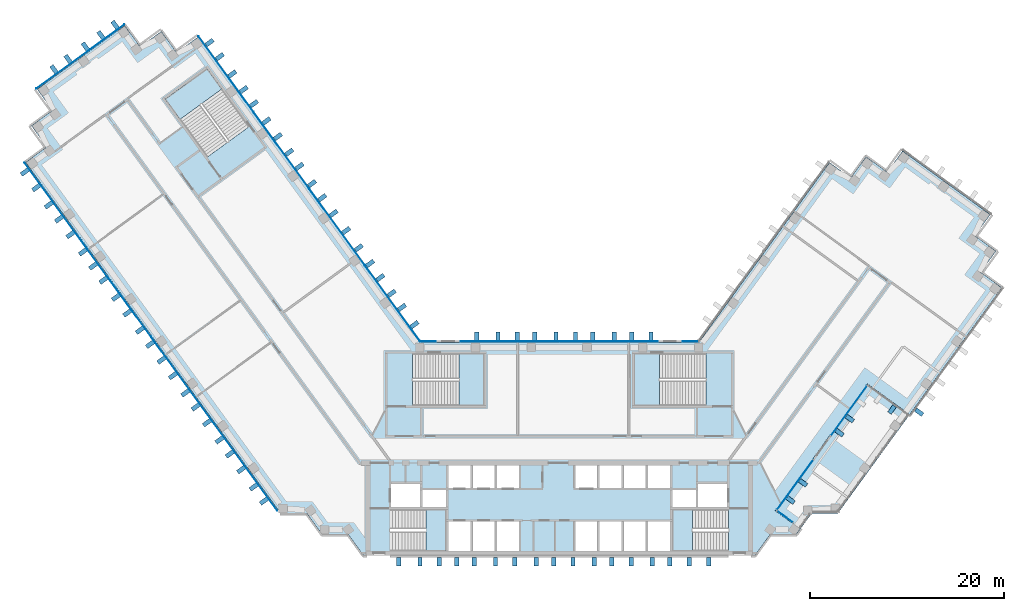
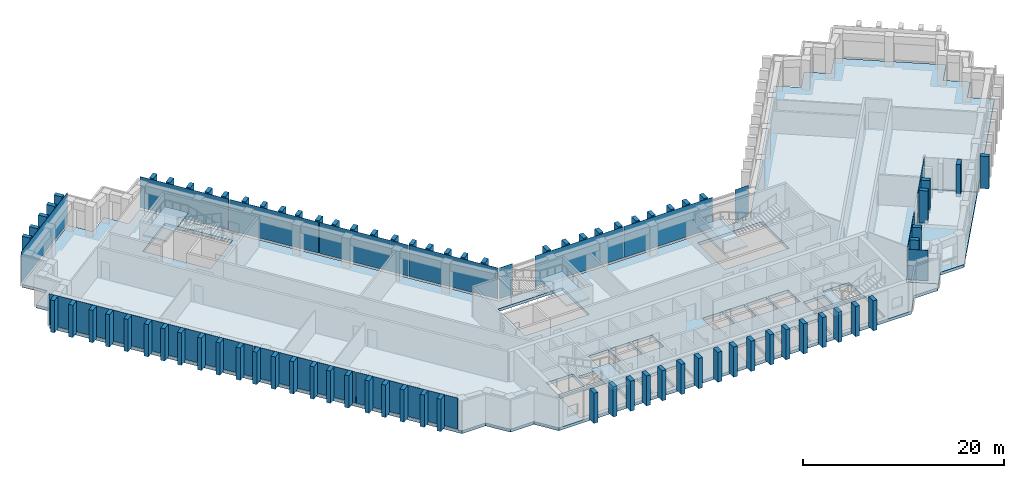
"""IFC4 building model written with IfcOpenShell, lengths in metres."""

from ifc_helpers import new_model, si_unit, direction, frame, origin, origin_2d, place, context, subcontext, project, spatial, polyline, rectangle, outline, extrude, material, layer, layer_set, type_object, element, aggregate, save


model = new_model("IFC4")

# Units and contexts
model_context = context("Model", 3, precision=1e-05, world=origin(), true_north=direction((0.0, 1.0)))
body_context = subcontext(model_context, "Body", "Model", "MODEL_VIEW")
ifc_project = project(units=[si_unit("LENGTHUNIT", "METRE"), si_unit("AREAUNIT", "SQUARE_METRE"), si_unit("VOLUMEUNIT", "CUBIC_METRE"), si_unit("PLANEANGLEUNIT", "RADIAN"), si_unit("MASSUNIT", "GRAM", prefix="KILO")], contexts=[model_context])

# Site, building, storey
site_placement = place(None, origin())
site = spatial("IfcSite", under=ifc_project, at=site_placement, CompositionType="ELEMENT")
building_placement = place(site_placement, origin())
building = spatial("IfcBuilding", under=site, at=building_placement, Name="Quipu Civic Tower", CompositionType="ELEMENT")
storey_1_placement = place(building_placement, frame((0.0, 0.0, 105.0)))
storey_1 = spatial("IfcBuildingStorey", under=building, at=storey_1_placement, Name="L24", CompositionType="ELEMENT", Elevation=105.0)

# Slab
ifc_material_1 = material(Name="Concrete C40/50", Category="concrete")
ifc_layer_1 = layer(ifc_material_1, 0.35009765625)
ifc_layer_set_1 = layer_set([ifc_layer_1], Name="Concrete C40/50")
slab_type_1 = type_object("IfcSlabType", Name="Floor slab 350 C40/50", PredefinedType="FLOOR", material=ifc_layer_set_1)
slab_1_placement = place(storey_1_placement, frame((0.0, 0.0, -0.35009765625)))
element("IfcSlab", 1, at=slab_1_placement, inside=storey_1, type_object=slab_type_1, Name="Floor slab L24", PredefinedType="FLOOR", context=body_context, shape_type="SweptSolid", body=[
    extrude(outline(polyline([(20.205078125, -11.0), (-20.205078125, -11.0), (-21.7900390625, -8.81494140625), (-24.489990234375, -8.81494140625), (-26.080078125, -6.6298828125), (-28.780029296875, -6.6298828125), (-55.114990234375, 29.614990234375), (-52.929931640625, 31.205078125), (-54.514892578125, 33.389892578125), (-52.3349609375, 34.97509765625), (-53.919921875, 37.159912109375), (-44.860107421875, 43.739990234375), (-43.27001953125, 41.56005859375), (-41.0849609375, 43.14501953125), (-39.5, 40.9599609375), (-37.31494140625, 42.550048828125), (-14.39501953125, 11.0), (14.39501953125, 11.0), (27.909912109375, 29.60498046875), (30.094970703125, 28.014892578125), (31.68505859375, 30.199951171875), (33.864990234375, 28.614990234375), (35.455078125, 30.800048828125), (44.514892578125, 24.215087890625), (42.929931640625, 22.030029296875), (45.114990234375, 20.445068359375), (43.52490234375, 18.260009765625), (45.7099609375, 16.669921875), (36.18994140625, 3.56494140625), (31.820068359375, 6.739990234375), (22.294921875, -6.364990234375), (24.89990234375, -8.2548828125), (24.489990234375, -8.81494140625), (21.7900390625, -8.81494140625), (20.205078125, -11.0)]), holes=[polyline([(-11.449951171875, -7.5), (-11.449951171875, -10.5), (-9.14990234375, -10.5), (-9.14990234375, -7.5), (-11.449951171875, -7.5)]), polyline([(-8.949951171875, -7.5), (-8.949951171875, -10.5), (-6.64990234375, -10.5), (-6.64990234375, -7.5), (-8.949951171875, -7.5)]), polyline([(-6.449951171875, -7.5), (-6.449951171875, -10.5), (-4.14990234375, -10.5), (-4.14990234375, -7.5), (-6.449951171875, -7.5)]), polyline([(-11.705078125, -10.4951171875), (-11.705078125, -6.2548828125), (-17.4951171875, -6.2548828125), (-17.4951171875, -10.4951171875), (-11.705078125, -10.4951171875)]), polyline([(-11.699951171875, -4.25), (-14.10009765625, -4.25), (-14.10009765625, -6.0), (-11.699951171875, -6.0), (-11.699951171875, -4.25)]), polyline([(-17.35009765625, -3.60009765625), (-17.35009765625, -6.0), (-14.35009765625, -6.0), (-14.35009765625, -3.60009765625), (-17.35009765625, -3.60009765625)]), polyline([(-9.14990234375, -1.699951171875), (-11.449951171875, -1.699951171875), (-11.449951171875, -4.0), (-9.14990234375, -4.0), (-9.14990234375, -1.699951171875)]), polyline([(-6.64990234375, -1.699951171875), (-8.949951171875, -1.699951171875), (-8.949951171875, -4.0), (-6.64990234375, -4.0), (-6.64990234375, -1.699951171875)]), polyline([(-6.449951171875, -1.699951171875), (-6.449951171875, -4.0), (-4.14990234375, -4.0), (-4.14990234375, -1.699951171875), (-6.449951171875, -1.699951171875)]), polyline([(3.949951171875, -1.699951171875), (1.64990234375, -1.699951171875), (1.64990234375, -4.0), (3.949951171875, -4.0), (3.949951171875, -1.699951171875)]), polyline([(-7.7548828125, 4.5048828125), (-7.7548828125, 9.844970703125), (-15.14501953125, 9.844970703125), (-15.14501953125, 4.5048828125), (-7.7548828125, 4.5048828125)]), polyline([(-40.68505859375, 36.135009765625), (-36.344970703125, 30.159912109375), (-32.02490234375, 33.300048828125), (-36.364990234375, 39.27490234375), (-40.68505859375, 36.135009765625)]), polyline([(3.949951171875, -7.5), (1.64990234375, -7.5), (1.64990234375, -10.5), (3.949951171875, -10.5), (3.949951171875, -7.5)]), polyline([(6.449951171875, -7.5), (4.14990234375, -7.5), (4.14990234375, -10.5), (6.449951171875, -10.5), (6.449951171875, -7.5)]), polyline([(6.64990234375, -7.5), (6.64990234375, -10.5), (8.949951171875, -10.5), (8.949951171875, -7.5), (6.64990234375, -7.5)]), polyline([(11.449951171875, -7.5), (9.14990234375, -7.5), (9.14990234375, -10.5), (11.449951171875, -10.5), (11.449951171875, -7.5)]), polyline([(11.705078125, -6.2548828125), (11.705078125, -10.4951171875), (17.4951171875, -10.4951171875), (17.4951171875, -6.2548828125), (11.705078125, -6.2548828125)]), polyline([(11.699951171875, -4.25), (11.699951171875, -6.0), (14.10009765625, -6.0), (14.10009765625, -4.25), (11.699951171875, -4.25)]), polyline([(17.35009765625, -3.60009765625), (14.35009765625, -3.60009765625), (14.35009765625, -6.0), (17.35009765625, -6.0), (17.35009765625, -3.60009765625)]), polyline([(6.449951171875, -1.699951171875), (4.14990234375, -1.699951171875), (4.14990234375, -4.0), (6.449951171875, -4.0), (6.449951171875, -1.699951171875)]), polyline([(6.64990234375, -1.699951171875), (6.64990234375, -4.0), (8.949951171875, -4.0), (8.949951171875, -1.699951171875), (6.64990234375, -1.699951171875)]), polyline([(11.449951171875, -1.699951171875), (9.14990234375, -1.699951171875), (9.14990234375, -4.0), (11.449951171875, -4.0), (11.449951171875, -1.699951171875)]), polyline([(7.7548828125, 9.844970703125), (7.7548828125, 4.5048828125), (15.14501953125, 4.5048828125), (15.14501953125, 9.844970703125), (7.7548828125, 9.844970703125)])]), origin(), (0.0, 0.0, 1.0), 0.35009765625),
])

# Storey
storey_2_placement = place(building_placement, frame((0.0, 0.0, 101.0)))
storey_2 = spatial("IfcBuildingStorey", under=building, at=storey_2_placement, Name="L23", CompositionType="ELEMENT", Elevation=101.0)

# Curtain wall, plates
ifc_material_2 = material(Name="Insulated glass unit", Category="glass")
curtain_wall_type = type_object("IfcCurtainWallType", Name="Office curtain wall CW1", PredefinedType="NOTDEFINED", material=ifc_material_2)
curtain_wall_1_placement = place(storey_2_placement, origin())
curtain_wall_1 = element("IfcCurtainWall", 2, at=curtain_wall_1_placement, inside=storey_2, type_object=curtain_wall_type, Name="Office curtain wall CW1 L22 run 10", PredefinedType="NOTDEFINED")
ifc_material_3 = material(Name="Insulated glass unit", Category="glass")
ifc_layer_2 = layer(ifc_material_3, 0.028076171875)
ifc_layer_set_2 = layer_set([ifc_layer_2], Name="Insulated glass unit")
plate_type_1 = type_object("IfcPlateType", Name="Glass panel CW1", PredefinedType="CURTAIN_PANEL", material=ifc_layer_set_2)
plate_1_placement = place(storey_1_placement, frame((-17.224609375, 15.064697265625, 0.16015625), z_axis=(0.0, 0.0, 1.0), x_axis=(-0.587785887566, 0.809016532822, 0.0)))
plate_1 = element("IfcPlate", 3, at=plate_1_placement, inside=storey_1, type_object=plate_type_1, Name="CW1 panel 1.3", PredefinedType="CURTAIN_PANEL", context=body_context, shape_type="SweptSolid", body=[
    extrude(rectangle(XDim=9.64111328125, YDim=0.028076171875, at=origin_2d()), origin(), (0.0, 0.0, 1.0), 3.760009765625),
])
plate_2_placement = place(storey_1_placement, frame((-22.950439453125, 22.9453125, 0.16015625), z_axis=(0.0, 0.0, 1.0), x_axis=(-0.587785887566, 0.809016532822, 0.0)))
plate_2 = element("IfcPlate", 4, at=plate_2_placement, inside=storey_1, type_object=plate_type_1, Name="CW1 panel 2.3", PredefinedType="CURTAIN_PANEL", context=body_context, shape_type="SweptSolid", body=[
    extrude(rectangle(XDim=9.68115234375, YDim=0.028076171875, at=origin_2d()), origin(), (0.0, 0.0, 1.0), 3.760009765625),
])
plate_3_placement = place(storey_1_placement, frame((-28.687744140625, 30.84228515625, 0.16015625), z_axis=(0.0, 0.0, 1.0), x_axis=(-0.587785887566, 0.809016532822, 0.0)))
plate_3 = element("IfcPlate", 5, at=plate_3_placement, inside=storey_1, type_object=plate_type_1, Name="CW1 panel 3.3", PredefinedType="CURTAIN_PANEL", context=body_context, shape_type="SweptSolid", body=[
    extrude(rectangle(XDim=9.68115234375, YDim=0.028076171875, at=origin_2d()), origin(), (0.0, 0.0, 1.0), 3.760009765625),
])
plate_4_placement = place(storey_1_placement, frame((-34.413330078125, 38.722900390625, 0.16015625), z_axis=(0.0, 0.0, 1.0), x_axis=(-0.587785887566, 0.809016532822, 0.0)))
plate_4 = element("IfcPlate", 6, at=plate_4_placement, inside=storey_1, type_object=plate_type_1, Name="CW1 panel 4.3", PredefinedType="CURTAIN_PANEL", context=body_context, shape_type="SweptSolid", body=[
    extrude(rectangle(XDim=9.64111328125, YDim=0.028076171875, at=origin_2d()), origin(), (0.0, 0.0, 1.0), 3.760009765625),
])
aggregate(curtain_wall_1, [plate_1, plate_2, plate_3, plate_4])

# Curtain wall, plate
curtain_wall_2_placement = place(storey_2_placement, origin())
curtain_wall_2 = element("IfcCurtainWall", 7, at=curtain_wall_2_placement, inside=storey_2, type_object=curtain_wall_type, Name="Office curtain wall CW1 L22 run 15", PredefinedType="NOTDEFINED")
plate_5_placement = place(storey_1_placement, frame((-49.447998046875, 40.53173828125, 0.16015625), z_axis=(0.0, 0.0, 1.0), x_axis=(-0.809019348124, -0.587782012621, 0.0)))
plate_5 = element("IfcPlate", 8, at=plate_5_placement, inside=storey_1, type_object=plate_type_1, Name="CW1 panel 1.3", PredefinedType="CURTAIN_PANEL", context=body_context, shape_type="SweptSolid", body=[
    extrude(rectangle(XDim=11.239990234375, YDim=0.028076171875, at=origin_2d()), origin(), (0.0, 0.0, 1.0), 3.760009765625),
])
aggregate(curtain_wall_2, [plate_5])

# Curtain wall, plates
curtain_wall_3_placement = place(storey_2_placement, origin())
curtain_wall_3 = element("IfcCurtainWall", 9, at=curtain_wall_3_placement, inside=storey_2, type_object=curtain_wall_type, Name="Office curtain wall CW1 L22 run 20", PredefinedType="NOTDEFINED")
plate_6_placement = place(storey_1_placement, frame((-51.967529296875, 25.114990234375, 0.16015625), z_axis=(0.0, 0.0, 1.0), x_axis=(0.587785559869, -0.809016770908, 0.0)))
plate_6 = element("IfcPlate", 10, at=plate_6_placement, inside=storey_1, type_object=plate_type_1, Name="CW1 panel 1.3", PredefinedType="CURTAIN_PANEL", context=body_context, shape_type="SweptSolid", body=[
    extrude(rectangle(XDim=11.022705078125, YDim=0.028076171875, at=origin_2d()), origin(), (0.0, 0.0, 1.0), 3.760009765625),
])
plate_7_placement = place(storey_1_placement, frame((-45.4296875, 16.11669921875, 0.16015625), z_axis=(0.0, 0.0, 1.0), x_axis=(0.587785559869, -0.809016770908, 0.0)))
plate_7 = element("IfcPlate", 11, at=plate_7_placement, inside=storey_1, type_object=plate_type_1, Name="CW1 panel 2.3", PredefinedType="CURTAIN_PANEL", context=body_context, shape_type="SweptSolid", body=[
    extrude(rectangle(XDim=11.062744140625, YDim=0.028076171875, at=origin_2d()), origin(), (0.0, 0.0, 1.0), 3.760009765625),
])
plate_8_placement = place(storey_1_placement, frame((-38.880126953125, 7.101806640625, 0.16015625), z_axis=(0.0, 0.0, 1.0), x_axis=(0.587785559869, -0.809016770908, 0.0)))
plate_8 = element("IfcPlate", 12, at=plate_8_placement, inside=storey_1, type_object=plate_type_1, Name="CW1 panel 3.3", PredefinedType="CURTAIN_PANEL", context=body_context, shape_type="SweptSolid", body=[
    extrude(rectangle(XDim=11.062744140625, YDim=0.028076171875, at=origin_2d()), origin(), (0.0, 0.0, 1.0), 3.760009765625),
])
plate_9_placement = place(storey_1_placement, frame((-32.342529296875, -1.896484375, 0.16015625), z_axis=(0.0, 0.0, 1.0), x_axis=(0.587785559869, -0.809016770908, 0.0)))
plate_9 = element("IfcPlate", 13, at=plate_9_placement, inside=storey_1, type_object=plate_type_1, Name="CW1 panel 4.3", PredefinedType="CURTAIN_PANEL", context=body_context, shape_type="SweptSolid", body=[
    extrude(rectangle(XDim=11.022705078125, YDim=0.028076171875, at=origin_2d()), origin(), (0.0, 0.0, 1.0), 3.760009765625),
])
aggregate(curtain_wall_3, [plate_6, plate_7, plate_8, plate_9])

# Curtain wall, plate
curtain_wall_4_placement = place(storey_2_placement, origin())
curtain_wall_4 = element("IfcCurtainWall", 14, at=curtain_wall_4_placement, inside=storey_2, type_object=curtain_wall_type, Name="Office curtain wall CW1 L22 run 37", PredefinedType="NOTDEFINED")
plate_10_placement = place(storey_1_placement, frame((13.49951171875, 11.10009765625, 0.16015625), z_axis=(0.0, 0.0, 1.0), x_axis=(-1.0, 0.0, 0.0)))
plate_10 = element("IfcPlate", 15, at=plate_10_placement, inside=storey_1, type_object=plate_type_1, Name="CW1 panel 1.3", PredefinedType="CURTAIN_PANEL", context=body_context, shape_type="SweptSolid", body=[
    extrude(rectangle(XDim=1.529296875, YDim=0.028076171875, at=origin_2d()), origin(), (0.0, 0.0, 1.0), 3.760009765625),
])
aggregate(curtain_wall_4, [plate_10])

# Curtain wall, plates
curtain_wall_5_placement = place(storey_2_placement, origin())
curtain_wall_5 = element("IfcCurtainWall", 16, at=curtain_wall_5_placement, inside=storey_2, type_object=curtain_wall_type, Name="Office curtain wall CW1 L22 run 39", PredefinedType="NOTDEFINED")
plate_11_placement = place(storey_1_placement, frame((5.11181640625, 11.10009765625, 0.16015625), z_axis=(0.0, 0.0, 1.0), x_axis=(-1.0, 0.0, 0.0)))
plate_11 = element("IfcPlate", 17, at=plate_11_placement, inside=storey_1, type_object=plate_type_1, Name="CW1 panel 1.3", PredefinedType="CURTAIN_PANEL", context=body_context, shape_type="SweptSolid", body=[
    extrude(rectangle(XDim=10.1435546875, YDim=0.028076171875, at=origin_2d()), origin(), (0.0, 0.0, 1.0), 3.760009765625),
])
plate_12_placement = place(storey_1_placement, frame((-5.11181640625, 11.10009765625, 0.16015625), z_axis=(0.0, 0.0, 1.0), x_axis=(-1.0, 0.0, 0.0)))
plate_12 = element("IfcPlate", 18, at=plate_12_placement, inside=storey_1, type_object=plate_type_1, Name="CW1 panel 2.3", PredefinedType="CURTAIN_PANEL", context=body_context, shape_type="SweptSolid", body=[
    extrude(rectangle(XDim=10.1435546875, YDim=0.028076171875, at=origin_2d()), origin(), (0.0, 0.0, 1.0), 3.760009765625),
])
aggregate(curtain_wall_5, [plate_11, plate_12])

# Curtain wall, plate
curtain_wall_6_placement = place(storey_2_placement, origin())
curtain_wall_6 = element("IfcCurtainWall", 19, at=curtain_wall_6_placement, inside=storey_2, type_object=curtain_wall_type, Name="Office curtain wall CW1 L22 run 41", PredefinedType="NOTDEFINED")
plate_13_placement = place(storey_1_placement, frame((-13.49951171875, 11.10009765625, 0.16015625), z_axis=(0.0, 0.0, 1.0), x_axis=(-1.0, 0.0, 0.0)))
plate_13 = element("IfcPlate", 20, at=plate_13_placement, inside=storey_1, type_object=plate_type_1, Name="CW1 panel 1.3", PredefinedType="CURTAIN_PANEL", context=body_context, shape_type="SweptSolid", body=[
    extrude(rectangle(XDim=1.529296875, YDim=0.028076171875, at=origin_2d()), origin(), (0.0, 0.0, 1.0), 3.760009765625),
])
aggregate(curtain_wall_6, [plate_13])

curtain_wall_7_placement = place(storey_1_placement, origin())
curtain_wall_7 = element("IfcCurtainWall", 21, at=curtain_wall_7_placement, inside=storey_1, type_object=curtain_wall_type, Name="Office curtain wall CW1 L24 run 2", PredefinedType="NOTDEFINED")
plate_14_placement = place(storey_1_placement, frame((23.311767578125, -6.979736328125, 0.240234375), z_axis=(0.0, 0.0, 1.0), x_axis=(-0.809025794765, 0.587773139404, 0.0)))
plate_14 = element("IfcPlate", 22, at=plate_14_placement, type_object=plate_type_1, Name="CW1 panel 1.1", PredefinedType="CURTAIN_PANEL", context=body_context, shape_type="SweptSolid", body=[
    extrude(rectangle(XDim=2.003662109375, YDim=0.028076171875, at=origin_2d()), origin(), (0.0, 0.0, 1.0), 3.679931640625),
])
aggregate(curtain_wall_7, [plate_14])

curtain_wall_8_placement = place(storey_1_placement, origin())
curtain_wall_8 = element("IfcCurtainWall", 23, at=curtain_wall_8_placement, inside=storey_1, type_object=curtain_wall_type, Name="Office curtain wall CW1 L24 run 3", PredefinedType="NOTDEFINED")
plate_15_placement = place(storey_1_placement, frame((24.352294921875, -3.70703125, 0.240234375), z_axis=(0.0, 0.0, 1.0), x_axis=(0.587783041125, 0.809018600878, 0.0)))
plate_15 = element("IfcPlate", 24, at=plate_15_placement, type_object=plate_type_1, Name="CW1 panel 1.1", PredefinedType="CURTAIN_PANEL", context=body_context, shape_type="SweptSolid", body=[
    extrude(rectangle(XDim=6.3583984375, YDim=0.028076171875, at=origin_2d()), origin(), (0.0, 0.0, 1.0), 3.679931640625),
])
aggregate(curtain_wall_8, [plate_15])

curtain_wall_9_placement = place(storey_1_placement, origin())
curtain_wall_9 = element("IfcCurtainWall", 25, at=curtain_wall_9_placement, inside=storey_1, type_object=curtain_wall_type, Name="Office curtain wall CW1 L24 run 5", PredefinedType="NOTDEFINED")
plate_16_placement = place(storey_1_placement, frame((29.92529296875, 3.963623046875, 0.240234375), z_axis=(0.0, 0.0, 1.0), x_axis=(0.587778491936, 0.809021906018, 0.0)))
plate_16 = element("IfcPlate", 26, at=plate_16_placement, type_object=plate_type_1, Name="CW1 panel 1.1", PredefinedType="CURTAIN_PANEL", context=body_context, shape_type="SweptSolid", body=[
    extrude(rectangle(XDim=6.358642578125, YDim=0.028076171875, at=origin_2d()), origin(), (0.0, 0.0, 1.0), 3.679931640625),
])
aggregate(curtain_wall_9, [plate_16])

# Plates
ifc_material_4 = material(Name="Precast concrete C40/50", Category="concrete")
plate_type_2 = type_object("IfcPlateType", Name="Precast fin F1", PredefinedType="SHEET", material=ifc_material_4)
for number, where, z_axis, x_axis, name in (
    (27, (-14.942138671875, 12.8583984375, 0.080078125), (0.0, 0.0, 1.0), (-0.587784944053, 0.809017218324, 0.0), "Precast fin F1 L24.P01.1"),
    (28, (-16.235107421875, 14.638427734375, 0.080078125), (0.0, 0.0, 1.0), (-0.587784944053, 0.809017218324, 0.0), "Precast fin F1 L24.P01.2"),
    (29, (-17.293212890625, 16.094482421875, 0.080078125), (0.0, 0.0, 1.0), (-0.587784944053, 0.809017218324, 0.0), "Precast fin F1 L24.P01.3"),
    (30, (-18.46875, 17.712646484375, 0.080078125), (0.0, 0.0, 1.0), (-0.587784944053, 0.809017218324, 0.0), "Precast fin F1 L24.P01.4"),
    (31, (-19.52685546875, 19.1689453125, 0.080078125), (0.0, 0.0, 1.0), (-0.587784944053, 0.809017218324, 0.0), "Precast fin F1 L24.P01.5"),
    (32, (-20.702392578125, 20.786865234375, 0.080078125), (0.0, 0.0, 1.0), (-0.587784944053, 0.809017218324, 0.0), "Precast fin F1 L24.P01.6"),
    (33, (-21.995361328125, 22.566650390625, 0.080078125), (0.0, 0.0, 1.0), (-0.587784944053, 0.809017218324, 0.0), "Precast fin F1 L24.P01.7"),
    (34, (-23.28857421875, 24.3466796875, 0.080078125), (0.0, 0.0, 1.0), (-0.587784944053, 0.809017218324, 0.0), "Precast fin F1 L24.P01.8"),
    (35, (-24.464111328125, 25.964599609375, 0.080078125), (0.0, 0.0, 1.0), (-0.587784944053, 0.809017218324, 0.0), "Precast fin F1 L24.P01.9"),
    (36, (-25.522216796875, 27.4208984375, 0.080078125), (0.0, 0.0, 1.0), (-0.587784944053, 0.809017218324, 0.0), "Precast fin F1 L24.P01.10"),
    (37, (-26.815185546875, 29.20068359375, 0.080078125), (0.0, 0.0, 1.0), (-0.587784944053, 0.809017218324, 0.0), "Precast fin F1 L24.P01.11"),
    (38, (-27.873291015625, 30.656982421875, 0.080078125), (0.0, 0.0, 1.0), (-0.587784944053, 0.809017218324, 0.0), "Precast fin F1 L24.P01.12"),
    (39, (-29.048828125, 32.27490234375, 0.080078125), (0.0, 0.0, 1.0), (-0.587784944053, 0.809017218324, 0.0), "Precast fin F1 L24.P01.13"),
    (40, (-30.224365234375, 33.89306640625, 0.080078125), (0.0, 0.0, 1.0), (-0.587784944053, 0.809017218324, 0.0), "Precast fin F1 L24.P01.14"),
    (41, (-31.517578125, 35.6728515625, 0.080078125), (0.0, 0.0, 1.0), (-0.587784944053, 0.809017218324, 0.0), "Precast fin F1 L24.P01.15"),
    (42, (-32.57568359375, 37.129150390625, 0.080078125), (0.0, 0.0, 1.0), (-0.587784944053, 0.809017218324, 0.0), "Precast fin F1 L24.P01.16"),
    (43, (-33.751220703125, 38.7470703125, 0.080078125), (0.0, 0.0, 1.0), (-0.587784944053, 0.809017218324, 0.0), "Precast fin F1 L24.P01.17"),
    (44, (-35.044189453125, 40.52685546875, 0.080078125), (0.0, 0.0, 1.0), (-0.587784944053, 0.809017218324, 0.0), "Precast fin F1 L24.P01.18"),
    (45, (-36.102294921875, 41.983154296875, 0.080078125), (0.0, 0.0, 1.0), (-0.587784944053, 0.809017218324, 0.0), "Precast fin F1 L24.P01.19"),
    (46, (-45.867919921875, 43.812744140625, 0.080078125), (0.0, 0.0, 1.0), (-0.809021318545, -0.587779300537, 0.0), "Precast fin F1 L24.P06.1"),
    (47, (-47.323974609375, 42.754638671875, 0.080078125), (0.0, 0.0, 1.0), (-0.809021318545, -0.587779300537, 0.0), "Precast fin F1 L24.P06.2"),
    (48, (-48.942138671875, 41.5791015625, 0.080078125), (0.0, 0.0, 1.0), (-0.809021318545, -0.587779300537, 0.0), "Precast fin F1 L24.P06.3"),
    (49, (-50.721923828125, 40.2861328125, 0.080078125), (0.0, 0.0, 1.0), (-0.809021318545, -0.587779300537, 0.0), "Precast fin F1 L24.P06.4"),
    (50, (-52.17822265625, 39.22802734375, 0.080078125), (0.0, 0.0, 1.0), (-0.809021318545, -0.587779300537, 0.0), "Precast fin F1 L24.P06.5"),
    (51, (-55.184814453125, 28.607421875, 0.080078125), (0.0, 0.0, 1.0), (0.587785716149, -0.809016657363, 0.0), "Precast fin F1 L24.P11.1"),
    (52, (-54.00927734375, 26.989501953125, 0.080078125), (0.0, 0.0, 1.0), (0.587785716149, -0.809016657363, 0.0), "Precast fin F1 L24.P11.2"),
    (53, (-52.716064453125, 25.20947265625, 0.080078125), (0.0, 0.0, 1.0), (0.587785716149, -0.809016657363, 0.0), "Precast fin F1 L24.P11.3"),
    (54, (-51.657958984375, 23.75341796875, 0.080078125), (0.0, 0.0, 1.0), (0.587785716149, -0.809016657363, 0.0), "Precast fin F1 L24.P11.4"),
    (55, (-50.482421875, 22.13525390625, 0.080078125), (0.0, 0.0, 1.0), (0.587785716149, -0.809016657363, 0.0), "Precast fin F1 L24.P11.5"),
    (56, (-49.189208984375, 20.35546875, 0.080078125), (0.0, 0.0, 1.0), (0.587785716149, -0.809016657363, 0.0), "Precast fin F1 L24.P11.6"),
    (57, (-48.13134765625, 18.899169921875, 0.080078125), (0.0, 0.0, 1.0), (0.587785716149, -0.809016657363, 0.0), "Precast fin F1 L24.P11.7"),
    (58, (-47.0732421875, 17.443115234375, 0.080078125), (0.0, 0.0, 1.0), (0.587785716149, -0.809016657363, 0.0), "Precast fin F1 L24.P11.8"),
    (59, (-45.7802734375, 15.6630859375, 0.080078125), (0.0, 0.0, 1.0), (0.587785716149, -0.809016657363, 0.0), "Precast fin F1 L24.P11.9"),
    (60, (-44.6044921875, 14.045166015625, 0.080078125), (0.0, 0.0, 1.0), (0.587785716149, -0.809016657363, 0.0), "Precast fin F1 L24.P11.10"),
    (61, (-43.3115234375, 12.265380859375, 0.080078125), (0.0, 0.0, 1.0), (0.587785716149, -0.809016657363, 0.0), "Precast fin F1 L24.P11.11"),
    (62, (-42.25341796875, 10.80908203125, 0.080078125), (0.0, 0.0, 1.0), (0.587785716149, -0.809016657363, 0.0), "Precast fin F1 L24.P11.12"),
    (63, (-41.077880859375, 9.191162109375, 0.080078125), (0.0, 0.0, 1.0), (0.587785716149, -0.809016657363, 0.0), "Precast fin F1 L24.P11.13"),
    (64, (-39.90234375, 7.572998046875, 0.080078125), (0.0, 0.0, 1.0), (0.587785716149, -0.809016657363, 0.0), "Precast fin F1 L24.P11.14"),
    (65, (-38.609130859375, 5.793212890625, 0.080078125), (0.0, 0.0, 1.0), (0.587785716149, -0.809016657363, 0.0), "Precast fin F1 L24.P11.15"),
    (66, (-37.55126953125, 4.3369140625, 0.080078125), (0.0, 0.0, 1.0), (0.587785716149, -0.809016657363, 0.0), "Precast fin F1 L24.P11.16"),
    (67, (-36.37548828125, 2.718994140625, 0.080078125), (0.0, 0.0, 1.0), (0.587785716149, -0.809016657363, 0.0), "Precast fin F1 L24.P11.17"),
    (68, (-35.08251953125, 0.93896484375, 0.080078125), (0.0, 0.0, 1.0), (0.587785716149, -0.809016657363, 0.0), "Precast fin F1 L24.P11.18"),
    (69, (-34.0244140625, -0.51708984375, 0.080078125), (0.0, 0.0, 1.0), (0.587785716149, -0.809016657363, 0.0), "Precast fin F1 L24.P11.19"),
    (70, (-32.848876953125, -2.13525390625, 0.080078125), (0.0, 0.0, 1.0), (0.587785716149, -0.809016657363, 0.0), "Precast fin F1 L24.P11.20"),
    (71, (-31.5556640625, -3.9150390625, 0.080078125), (0.0, 0.0, 1.0), (0.587785716149, -0.809016657363, 0.0), "Precast fin F1 L24.P11.21"),
    (72, (-30.497802734375, -5.371337890625, 0.080078125), (0.0, 0.0, 1.0), (0.587785716149, -0.809016657363, 0.0), "Precast fin F1 L24.P11.22"),
):
    element("IfcPlate", number, at=place(storey_1_placement, frame(where, z_axis=z_axis, x_axis=x_axis)), inside=storey_1, type_object=plate_type_2, Name=name, PredefinedType="SHEET", context=body_context, shape_type="SweptSolid", body=[
        extrude(rectangle(XDim=0.449951171875, YDim=0.89990234375, at=origin_2d()), origin(), (0.0, 0.0, 1.0), 3.919921875),
    ])
for number, where, z_axis, x_axis, name in (
    (73, (-16.574951171875, -11.637939453125, 0.0), (0.0, 0.0, 1.0), (1.0, 0.0, 0.0), "Precast fin F1 L24.P18.1"),
    (74, (-14.375, -11.637939453125, 0.0), (0.0, 0.0, 1.0), (1.0, 0.0, 0.0), "Precast fin F1 L24.P18.2"),
    (75, (-12.375, -11.637939453125, 0.0), (0.0, 0.0, 1.0), (1.0, 0.0, 0.0), "Precast fin F1 L24.P18.3"),
    (76, (-10.574951171875, -11.637939453125, 0.0), (0.0, 0.0, 1.0), (1.0, 0.0, 0.0), "Precast fin F1 L24.P18.4"),
    (77, (-8.77490234375, -11.637939453125, 0.0), (0.0, 0.0, 1.0), (1.0, 0.0, 0.0), "Precast fin F1 L24.P18.5"),
    (78, (-6.574951171875, -11.637939453125, 0.0), (0.0, 0.0, 1.0), (1.0, 0.0, 0.0), "Precast fin F1 L24.P18.6"),
    (79, (-4.574951171875, -11.637939453125, 0.0), (0.0, 0.0, 1.0), (1.0, 0.0, 0.0), "Precast fin F1 L24.P18.7"),
    (80, (-2.375, -11.637939453125, 0.0), (0.0, 0.0, 1.0), (1.0, 0.0, 0.0), "Precast fin F1 L24.P18.8"),
    (81, (-0.574951171875, -11.637939453125, 0.0), (0.0, 0.0, 1.0), (1.0, 0.0, 0.0), "Precast fin F1 L24.P18.9"),
    (82, (1.425048828125, -11.637939453125, 0.0), (0.0, 0.0, 1.0), (1.0, 0.0, 0.0), "Precast fin F1 L24.P18.10"),
    (83, (3.625, -11.637939453125, 0.0), (0.0, 0.0, 1.0), (1.0, 0.0, 0.0), "Precast fin F1 L24.P18.11"),
    (84, (5.425048828125, -11.637939453125, 0.0), (0.0, 0.0, 1.0), (1.0, 0.0, 0.0), "Precast fin F1 L24.P18.12"),
    (85, (7.425048828125, -11.637939453125, 0.0), (0.0, 0.0, 1.0), (1.0, 0.0, 0.0), "Precast fin F1 L24.P18.13"),
    (86, (9.625, -11.637939453125, 0.0), (0.0, 0.0, 1.0), (1.0, 0.0, 0.0), "Precast fin F1 L24.P18.14"),
    (87, (11.425048828125, -11.637939453125, 0.0), (0.0, 0.0, 1.0), (1.0, 0.0, 0.0), "Precast fin F1 L24.P18.15"),
    (88, (13.425048828125, -11.637939453125, 0.0), (0.0, 0.0, 1.0), (1.0, 0.0, 0.0), "Precast fin F1 L24.P18.16"),
    (89, (15.425048828125, -11.637939453125, 0.0), (0.0, 0.0, 1.0), (1.0, 0.0, 0.0), "Precast fin F1 L24.P18.17"),
):
    element("IfcPlate", number, at=place(storey_1_placement, frame(where, z_axis=z_axis, x_axis=x_axis)), inside=storey_1, type_object=plate_type_2, Name=name, PredefinedType="SHEET", context=body_context, shape_type="SweptSolid", body=[
        extrude(rectangle(XDim=0.449951171875, YDim=0.89990234375, at=origin_2d()), origin(), (0.0, 0.0, 1.0), 3.64990234375),
    ])
for number, where, z_axis, x_axis, name in (
    (90, (9.47509765625, 11.64990234375, 0.080078125), (0.0, 0.0, 1.0), (-1.0, 0.0, 0.0), "Precast fin F1 L24.P31.1"),
    (91, (7.47509765625, 11.64990234375, 0.080078125), (0.0, 0.0, 1.0), (-1.0, 0.0, 0.0), "Precast fin F1 L24.P31.2"),
    (92, (5.675048828125, 11.64990234375, 0.080078125), (0.0, 0.0, 1.0), (-1.0, 0.0, 0.0), "Precast fin F1 L24.P31.3"),
    (93, (3.47509765625, 11.64990234375, 0.080078125), (0.0, 0.0, 1.0), (-1.0, 0.0, 0.0), "Precast fin F1 L24.P31.4"),
    (94, (1.675048828125, 11.64990234375, 0.080078125), (0.0, 0.0, 1.0), (-1.0, 0.0, 0.0), "Precast fin F1 L24.P31.5"),
    (95, (-0.324951171875, 11.64990234375, 0.080078125), (0.0, 0.0, 1.0), (-1.0, 0.0, 0.0), "Precast fin F1 L24.P31.6"),
    (96, (-2.52490234375, 11.64990234375, 0.080078125), (0.0, 0.0, 1.0), (-1.0, 0.0, 0.0), "Precast fin F1 L24.P31.7"),
    (97, (-4.324951171875, 11.64990234375, 0.080078125), (0.0, 0.0, 1.0), (-1.0, 0.0, 0.0), "Precast fin F1 L24.P31.8"),
    (98, (-6.324951171875, 11.64990234375, 0.080078125), (0.0, 0.0, 1.0), (-1.0, 0.0, 0.0), "Precast fin F1 L24.P31.9"),
    (99, (-8.52490234375, 11.64990234375, 0.080078125), (0.0, 0.0, 1.0), (-1.0, 0.0, 0.0), "Precast fin F1 L24.P31.10"),
    (100, (23.8955078125, -5.271484375, 0.080078125), (0.0, 0.0, 1.0), (0.587783675566, 0.809018139931, 0.0), "Precast fin F1 L24.3.1"),
    (101, (25.1884765625, -3.49169921875, 0.080078125), (0.0, 0.0, 1.0), (0.587783675566, 0.809018139931, 0.0), "Precast fin F1 L24.3.2"),
    (102, (28.950439453125, 1.68603515625, 0.080078125), (0.0, 0.0, 1.0), (0.587783675566, 0.809018139931, 0.0), "Precast fin F1 L24.5.1"),
    (103, (30.00830078125, 3.142333984375, 0.080078125), (0.0, 0.0, 1.0), (0.587783675566, 0.809018139931, 0.0), "Precast fin F1 L24.5.2"),
    (104, (34.36962890625, 4.083740234375, 0.080078125), (0.0, 0.0, 1.0), (0.809021075291, -0.587779635352, 0.0), "Precast fin F1 L24.6.2"),
    (105, (37.169189453125, 3.81103515625, 0.080078125), (0.0, 0.0, 1.0), (0.587786610933, 0.809016007263, 0.0), "Precast fin F1 L24.7.1"),
):
    element("IfcPlate", number, at=place(storey_1_placement, frame(where, z_axis=z_axis, x_axis=x_axis)), inside=storey_1, type_object=plate_type_2, Name=name, PredefinedType="SHEET", context=body_context, shape_type="SweptSolid", body=[
        extrude(rectangle(XDim=0.449951171875, YDim=0.89990234375, at=origin_2d()), origin(), (0.0, 0.0, 1.0), 3.919921875),
    ])

# Stair, slab
ifc_material_5 = material(Name="Concrete C40/50", Category="concrete")
stair_type_1 = type_object("IfcStairType", Name="Half turn stair 2000", PredefinedType="HALF_TURN_STAIR", material=ifc_material_5)
stair_1_placement = place(storey_1_placement, origin())
stair_1 = element("IfcStair", 106, at=stair_1_placement, inside=storey_1, type_object=stair_type_1, Name="Exit stair 1", PredefinedType="HALF_TURN_STAIR")
ifc_material_6 = material(Name="Concrete C40/50", Category="concrete")
ifc_layer_3 = layer(ifc_material_6, 0.199951171875)
ifc_layer_set_3 = layer_set([ifc_layer_3], Name="Concrete C40/50")
slab_type_2 = type_object("IfcSlabType", Name="Stair landing 200", PredefinedType="LANDING", material=ifc_layer_set_3)
slab_2_placement = place(storey_1_placement, frame((0.0, 0.0, 1.800048828125)))
slab_2 = element("IfcSlab", 107, at=slab_2_placement, type_object=slab_type_2, Name="ST-1 landing 1", PredefinedType="LANDING", context=body_context, shape_type="SweptSolid", body=[
    extrude(outline(polyline([(-13.780029296875, -10.5), (-11.699951171875, -10.5), (-11.699951171875, -6.25), (-13.780029296875, -6.25), (-13.780029296875, -10.5)])), origin(), (0.0, 0.0, 1.0), 0.199951171875),
])
aggregate(stair_1, [slab_2])

stair_2_placement = place(storey_1_placement, origin())
stair_2 = element("IfcStair", 108, at=stair_2_placement, inside=storey_1, type_object=stair_type_1, Name="Exit stair 2", PredefinedType="HALF_TURN_STAIR")
slab_3_placement = place(storey_1_placement, frame((0.0, 0.0, 1.800048828125)))
slab_3 = element("IfcSlab", 109, at=slab_3_placement, type_object=slab_type_2, Name="ST-2 landing 1", PredefinedType="LANDING", context=body_context, shape_type="SweptSolid", body=[
    extrude(outline(polyline([(13.780029296875, -6.25), (11.699951171875, -6.25), (11.699951171875, -10.5), (13.780029296875, -10.5), (13.780029296875, -6.25)])), origin(), (0.0, 0.0, 1.0), 0.199951171875),
])
aggregate(stair_2, [slab_3])

ifc_material_7 = material(Name="Concrete C40/50", Category="concrete")
stair_type_2 = type_object("IfcStairType", Name="Half turn stair 2600", PredefinedType="HALF_TURN_STAIR", material=ifc_material_7)
stair_3_placement = place(storey_1_placement, origin())
stair_3 = element("IfcStair", 110, at=stair_3_placement, inside=storey_1, type_object=stair_type_2, Name="Exit stair 3", PredefinedType="HALF_TURN_STAIR")
slab_4_placement = place(storey_1_placement, frame((0.0, 0.0, 1.800048828125)))
slab_4 = element("IfcSlab", 111, at=slab_4_placement, type_object=slab_type_2, Name="ST-3 landing 1", PredefinedType="LANDING", context=body_context, shape_type="SweptSolid", body=[
    extrude(outline(polyline([(-10.35009765625, 4.5), (-7.75, 4.5), (-7.75, 9.85009765625), (-10.35009765625, 9.85009765625), (-10.35009765625, 4.5)])), origin(), (0.0, 0.0, 1.0), 0.199951171875),
])
aggregate(stair_3, [slab_4])

stair_4_placement = place(storey_1_placement, origin())
stair_4 = element("IfcStair", 112, at=stair_4_placement, inside=storey_1, type_object=stair_type_2, Name="Exit stair 4", PredefinedType="HALF_TURN_STAIR")
slab_5_placement = place(storey_1_placement, frame((0.0, 0.0, 1.800048828125)))
slab_5 = element("IfcSlab", 113, at=slab_5_placement, type_object=slab_type_2, Name="ST-4 landing 1", PredefinedType="LANDING", context=body_context, shape_type="SweptSolid", body=[
    extrude(outline(polyline([(10.35009765625, 9.85009765625), (7.75, 9.85009765625), (7.75, 4.5), (10.35009765625, 4.5), (10.35009765625, 9.85009765625)])), origin(), (0.0, 0.0, 1.0), 0.199951171875),
])
aggregate(stair_4, [slab_5])

stair_5_placement = place(storey_1_placement, origin())
stair_5 = element("IfcStair", 114, at=stair_5_placement, inside=storey_1, type_object=stair_type_2, Name="Exit stair 6", PredefinedType="HALF_TURN_STAIR")
slab_6_placement = place(storey_1_placement, frame((0.0, 0.0, 1.800048828125)))
slab_6 = element("IfcSlab", 115, at=slab_6_placement, type_object=slab_type_2, Name="ST-6 landing 1", PredefinedType="LANDING", context=body_context, shape_type="SweptSolid", body=[
    extrude(outline(polyline([(-34.837158203125, 37.179443359375), (-36.365478515625, 39.282958984375), (-40.69384765625, 36.138427734375), (-39.16552734375, 34.034912109375), (-34.837158203125, 37.179443359375)])), origin(), (0.0, 0.0, 1.0), 0.199951171875),
])
aggregate(stair_5, [slab_6])

# Slab
ifc_material_8 = material(Name="Concrete C40/50", Category="concrete")
ifc_layer_4 = layer(ifc_material_8, 0.35009765625)
ifc_layer_set_4 = layer_set([ifc_layer_4], Name="Concrete C40/50")
slab_type_3 = type_object("IfcSlabType", Name="Terrace slab 350 C40/50", PredefinedType="FLOOR", material=ifc_layer_set_4)
slab_7_placement = place(storey_1_placement, frame((0.0, 0.0, -0.35009765625)))
element("IfcSlab", 116, at=slab_7_placement, inside=storey_1, type_object=slab_type_3, Name="Terrace slab L24", PredefinedType="FLOOR", context=body_context, shape_type="SweptSolid", body=[
    extrude(outline(polyline([(36.18994140625, 3.56494140625), (28.780029296875, -6.6298828125), (26.080078125, -6.6298828125), (24.89990234375, -8.2548828125), (22.294921875, -6.364990234375), (31.820068359375, 6.739990234375), (36.18994140625, 3.56494140625)])), origin(), (0.0, 0.0, 1.0), 0.35009765625),
])

save(model, "model.ifc")
